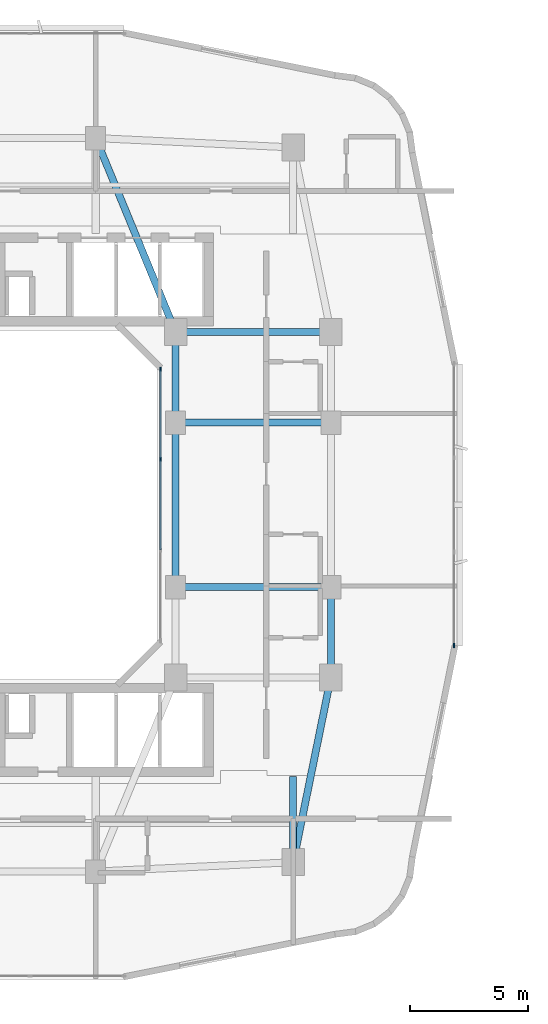
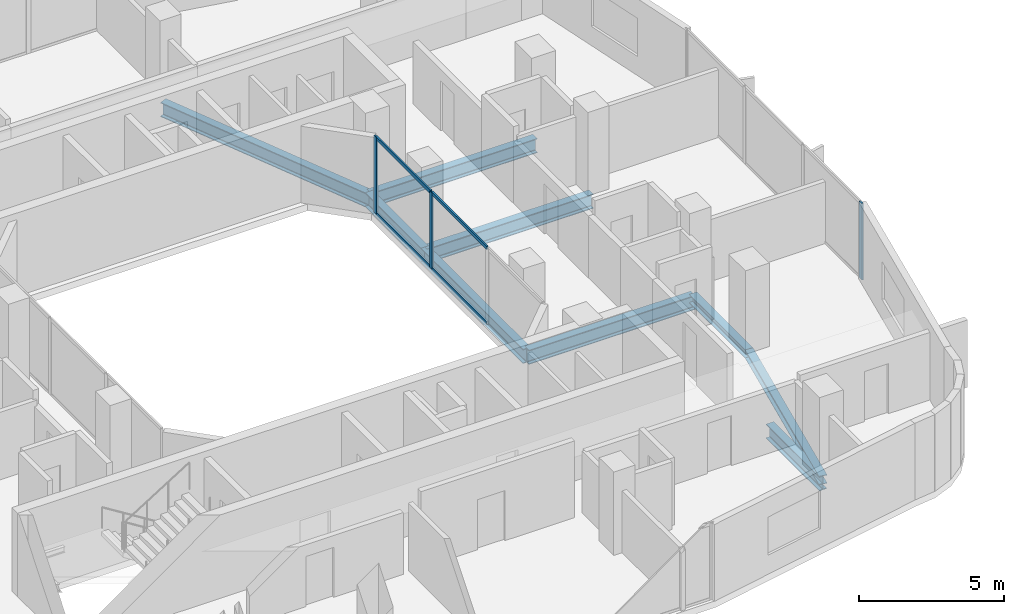
# One storey, part 4 of 26: 9 beams, 7 members, 2 elements without a shape of their own.
"""IFC4 building model written with IfcOpenShell, lengths in metres."""

from ifc_helpers import new_model, si_unit, derived_unit, direction, frame, origin, origin_2d, place, context, subcontext, project, spatial, rectangle, i_section, extrude, material, layer, layer_set, material_profile, profile_set, type_object, element, aggregate, save


model = new_model("IFC4")

# Units and contexts
model_context = context("Model", 3, precision=1e-05, world=origin(), true_north=direction((0.0, 1.0)))
body_context = subcontext(model_context, "Body", "Model", "MODEL_VIEW")
ifc_project = project(units=[si_unit("LENGTHUNIT", "METRE"), si_unit("AREAUNIT", "SQUARE_METRE"), si_unit("VOLUMEUNIT", "CUBIC_METRE"), si_unit("PLANEANGLEUNIT", "RADIAN"), si_unit("MASSUNIT", "GRAM", prefix="KILO"), derived_unit("THERMALTRANSMITTANCEUNIT", [(si_unit("POWERUNIT", "WATT"), 1), (si_unit("LENGTHUNIT", "METRE"), -2), (si_unit("THERMODYNAMICTEMPERATUREUNIT", "KELVIN"), -1)])], contexts=[model_context])

# Site, building, storey
site_placement = place(None, origin())
site = spatial("IfcSite", under=ifc_project, at=site_placement, CompositionType="ELEMENT")
building_placement = place(site_placement, origin())
building = spatial("IfcBuilding", under=site, at=building_placement, Name="Kivonza Crest Hotel", CompositionType="ELEMENT")
storey_placement = place(building_placement, frame((0.0, 0.0, 109.0)))
storey = spatial("IfcBuildingStorey", under=building, at=storey_placement, Name="L29", CompositionType="ELEMENT", Elevation=109.0)

# Beams
ifc_material_1 = material(Name="Steel S355", Category="steel")
ifc_material_profile_1 = material_profile(ifc_material_1, i_section(OverallWidth=0.300048828125, OverallDepth=0.360107421875, WebThickness=0.012451171875, FlangeThickness=0.0224609375, FilletRadius=0.027099609375, at=origin_2d()), Name="HEB 360")
ifc_profile_set_1 = profile_set([ifc_material_profile_1], Name="Steel S355")
beam_type_1 = type_object("IfcBeamType", Name="BM-HEB360", PredefinedType="SPANDREL", material=ifc_profile_set_1)
beam_1_placement = place(storey_placement, frame((34.199951171875, 9.800048828125, -0.4599609375), z_axis=(0.199730733965, 0.979850822273, 0.0), x_axis=(-0.979850822273, 0.199730733965, 0.0)))
element("IfcBeam", 1, at=beam_1_placement, inside=storey, type_object=beam_type_1, Name="Tower T1 L29 perimeter spandrel SE-PSE", PredefinedType="SPANDREL", context=body_context, shape_type="SweptSolid", body=[
    extrude(i_section(OverallWidth=0.300048828125, OverallDepth=0.360107421875, WebThickness=0.012451171875, FlangeThickness=0.0224609375, FilletRadius=0.027099609375, at=origin_2d()), origin(), (0.0, 0.0, 1.0), 8.01123046875),
])
beam_2_placement = place(storey_placement, frame((35.800048828125, 17.64990234375, -0.4599609375), z_axis=(0.0, 1.0, 0.0), x_axis=(-1.0, 0.0, 0.0)))
element("IfcBeam", 2, at=beam_2_placement, inside=storey, type_object=beam_type_1, Name="Tower T1 L29 perimeter spandrel PSE-E1", PredefinedType="SPANDREL", context=body_context, shape_type="SweptSolid", body=[
    extrude(i_section(OverallWidth=0.300048828125, OverallDepth=0.360107421875, WebThickness=0.012451171875, FlangeThickness=0.0224609375, FilletRadius=0.027099609375, at=origin_2d()), origin(), (0.0, 0.0, 1.0), 3.85009765625),
])
ifc_material_profile_2 = material_profile(ifc_material_1, i_section(OverallWidth=0.300048828125, OverallDepth=0.60009765625, WebThickness=0.015380859375, FlangeThickness=0.030029296875, FilletRadius=0.027099609375, at=origin_2d()), Name="HEB 600")
ifc_profile_set_2 = profile_set([ifc_material_profile_2], Name="Steel S355")
beam_type_2 = type_object("IfcBeamType", Name="BM-HEB600", PredefinedType="BEAM", material=ifc_profile_set_2)
beam_3_placement = place(storey_placement, frame((25.800048828125, 40.60009765625, -0.580078125), z_axis=(0.381022260404, -0.924565864109, 0.0), x_axis=(0.924565864109, 0.381022260404, 0.0)))
element("IfcBeam", 3, at=beam_3_placement, inside=storey, type_object=beam_type_2, Name="Tower T1 L29 primary girder N1-TNE", PredefinedType="BEAM", context=body_context, shape_type="SweptSolid", body=[
    extrude(i_section(OverallWidth=0.300048828125, OverallDepth=0.60009765625, WebThickness=0.015380859375, FlangeThickness=0.030029296875, FilletRadius=0.027099609375, at=origin_2d()), origin(), (0.0, 0.0, 1.0), 8.923095703125),
])
beam_4_placement = place(storey_placement, frame((29.199951171875, 32.35009765625, -0.580078125), z_axis=(1.0, 0.0, 0.0), x_axis=(0.0, 1.0, 0.0)))
element("IfcBeam", 4, at=beam_4_placement, inside=storey, type_object=beam_type_2, Name="Tower T1 L29 primary girder TNE-PNE", PredefinedType="BEAM", context=body_context, shape_type="SweptSolid", body=[
    extrude(i_section(OverallWidth=0.300048828125, OverallDepth=0.60009765625, WebThickness=0.015380859375, FlangeThickness=0.030029296875, FilletRadius=0.027099609375, at=origin_2d()), origin(), (0.0, 0.0, 1.0), 6.60009765625),
])
beam_5_placement = place(storey_placement, frame((29.199951171875, 21.5, -0.580078125), z_axis=(0.0, 1.0, 0.0), x_axis=(-1.0, 0.0, 0.0)))
element("IfcBeam", 5, at=beam_5_placement, inside=storey, type_object=beam_type_2, Name="Tower T1 L29 primary girder WR1-WR2", PredefinedType="BEAM", context=body_context, shape_type="SweptSolid", body=[
    extrude(i_section(OverallWidth=0.300048828125, OverallDepth=0.60009765625, WebThickness=0.015380859375, FlangeThickness=0.030029296875, FilletRadius=0.027099609375, at=origin_2d()), origin(), (0.0, 0.0, 1.0), 7.0),
])
beam_6_placement = place(storey_placement, frame((29.199951171875, 28.5, -0.580078125), z_axis=(0.0, 1.0, 0.0), x_axis=(-1.0, 0.0, 0.0)))
element("IfcBeam", 6, at=beam_6_placement, inside=storey, type_object=beam_type_2, Name="Tower T1 L29 primary girder WR2-TNE", PredefinedType="BEAM", context=body_context, shape_type="SweptSolid", body=[
    extrude(i_section(OverallWidth=0.300048828125, OverallDepth=0.60009765625, WebThickness=0.015380859375, FlangeThickness=0.030029296875, FilletRadius=0.027099609375, at=origin_2d()), origin(), (0.0, 0.0, 1.0), 3.85009765625),
])
for number, where, z_axis, x_axis, name in (
    (7, (29.199951171875, 21.5, -0.580078125), (1.0, 0.0, 0.0), (0.0, 1.0, 0.0), "Tower T1 L29 primary girder WR1-E1"),
    (8, (29.199951171875, 28.5, -0.580078125), (1.0, 0.0, 0.0), (0.0, 1.0, 0.0), "Tower T1 L29 primary girder WR2-E2"),
):
    element("IfcBeam", number, at=place(storey_placement, frame(where, z_axis=z_axis, x_axis=x_axis)), inside=storey, type_object=beam_type_2, Name=name, PredefinedType="BEAM", context=body_context, shape_type="SweptSolid", body=[
        extrude(i_section(OverallWidth=0.300048828125, OverallDepth=0.60009765625, WebThickness=0.015380859375, FlangeThickness=0.030029296875, FilletRadius=0.027099609375, at=origin_2d()), origin(), (0.0, 0.0, 1.0), 6.60009765625),
    ])
beam_7_placement = place(storey_placement, frame((34.199951171875, 9.800048828125, -0.580078125), z_axis=(0.0, 1.0, 0.0), x_axis=(-1.0, 0.0, 0.0)))
element("IfcBeam", 9, at=beam_7_placement, inside=storey, type_object=beam_type_2, Name="Tower T1 L29 radial core girder RSE", PredefinedType="BEAM", context=body_context, shape_type="SweptSolid", body=[
    extrude(i_section(OverallWidth=0.300048828125, OverallDepth=0.60009765625, WebThickness=0.015380859375, FlangeThickness=0.030029296875, FilletRadius=0.027099609375, at=origin_2d()), origin(), (0.0, 0.0, 1.0), 3.64990234375),
])

# Curtain wall, member
ifc_material_2 = material(Name="Anodised bronze aluminium and low-E double glazing", Category="aluminium")
ifc_layer_1 = layer(ifc_material_2, 0.179931640625)
ifc_layer_set_1 = layer_set([ifc_layer_1], Name="Anodised bronze aluminium and low-E double glazing")
curtain_wall_type_1 = type_object("IfcCurtainWallType", Name="CW-SYS-2", PredefinedType="NOTDEFINED", material=ifc_layer_set_1)
curtain_wall_1_placement = place(storey_placement, origin())
curtain_wall_1 = element("IfcCurtainWall", 10, at=curtain_wall_1_placement, inside=storey, type_object=curtain_wall_type_1, Name="L29 unitised curtain wall CW-T1-L29-17", PredefinedType="NOTDEFINED")
ifc_material_3 = material(Name="Anodised bronze aluminium", Category="aluminium")
ifc_material_profile_3 = material_profile(ifc_material_3, rectangle(XDim=0.06494140625, YDim=0.179931640625, at=origin_2d()), Name="CW-M 65x180")
ifc_profile_set_3 = profile_set([ifc_material_profile_3], Name="Anodised bronze aluminium")
member_type_1 = type_object("IfcMemberType", Name="CW-MUL-65x180", PredefinedType="MULLION", material=ifc_profile_set_3)
member_1_placement = place(storey_placement, frame((41.0400390625, 19.012451171875, 0.0), z_axis=(0.0, 0.0, 1.0), x_axis=(-1.0, 0.0, 0.0)))
member_1 = element("IfcMember", 11, at=member_1_placement, type_object=member_type_1, Name="CW-2 mullion 1", PredefinedType="MULLION", context=body_context, shape_type="SweptSolid", body=[
    extrude(rectangle(XDim=0.06494140625, YDim=0.179931640625, at=origin_2d()), origin(), (0.0, 0.0, 1.0), 3.219970703125),
])
aggregate(curtain_wall_1, [member_1])

# Curtain wall, members
ifc_layer_2 = layer(ifc_material_2, 0.159912109375)
ifc_layer_set_2 = layer_set([ifc_layer_2], Name="Anodised bronze aluminium and low-E double glazing")
curtain_wall_type_2 = type_object("IfcCurtainWallType", Name="CW-SYS-5", PredefinedType="NOTDEFINED", material=ifc_layer_set_2)
curtain_wall_2_placement = place(storey_placement, origin())
curtain_wall_2 = element("IfcCurtainWall", 12, at=curtain_wall_2_placement, inside=storey, type_object=curtain_wall_type_2, Name="L29 unitised curtain wall CW-WELL-T1-L29-3", PredefinedType="NOTDEFINED")
member_2_placement = place(storey_placement, frame((28.56005859375, 26.933349609375, 0.0), z_axis=(0.0, 0.0, 1.0), x_axis=(-1.0, 0.0, 0.0)))
member_2 = element("IfcMember", 13, at=member_2_placement, type_object=member_type_1, Name="CW-5 mullion 3", PredefinedType="MULLION", context=body_context, shape_type="SweptSolid", body=[
    extrude(rectangle(XDim=0.06494140625, YDim=0.179931640625, at=origin_2d()), origin(), (0.0, 0.0, 1.0), 3.219970703125),
])
member_3_placement = place(storey_placement, frame((28.56005859375, 30.767578125, 0.0), z_axis=(0.0, 0.0, 1.0), x_axis=(-1.0, 0.0, 0.0)))
member_3 = element("IfcMember", 14, at=member_3_placement, type_object=member_type_1, Name="CW-5 mullion 4", PredefinedType="MULLION", context=body_context, shape_type="SweptSolid", body=[
    extrude(rectangle(XDim=0.06494140625, YDim=0.179931640625, at=origin_2d()), origin(), (0.0, 0.0, 1.0), 3.219970703125),
])
ifc_material_profile_4 = material_profile(ifc_material_3, rectangle(XDim=0.06494140625, YDim=0.139892578125, at=origin_2d()), Name="CW-T 65x140")
ifc_profile_set_4 = profile_set([ifc_material_profile_4], Name="Anodised bronze aluminium")
member_type_2 = type_object("IfcMemberType", Name="CW-TRN-65x140", PredefinedType="USERDEFINED", material=ifc_profile_set_4)
member_4_placement = place(storey_placement, frame((28.56005859375, 23.09912109375, 0.032470703125), z_axis=(0.0, 1.0, 0.0), x_axis=(-1.0, 0.0, 0.0)))
member_4 = element("IfcMember", 15, at=member_4_placement, type_object=member_type_2, Name="CW-5 transom 2.1", ObjectType="TRANSOM", PredefinedType="USERDEFINED", context=body_context, shape_type="SweptSolid", body=[
    extrude(rectangle(XDim=0.06494140625, YDim=0.139892578125, at=origin_2d()), origin(), (0.0, 0.0, 1.0), 3.8017578125),
])
member_5_placement = place(storey_placement, frame((28.56005859375, 23.09912109375, 3.1875), z_axis=(0.0, 1.0, 0.0), x_axis=(-1.0, 0.0, 0.0)))
member_5 = element("IfcMember", 16, at=member_5_placement, type_object=member_type_2, Name="CW-5 transom 2.2", ObjectType="TRANSOM", PredefinedType="USERDEFINED", context=body_context, shape_type="SweptSolid", body=[
    extrude(rectangle(XDim=0.06494140625, YDim=0.139892578125, at=origin_2d()), origin(), (0.0, 0.0, 1.0), 3.8017578125),
])
member_6_placement = place(storey_placement, frame((28.56005859375, 26.9658203125, 0.032470703125), z_axis=(0.0, 1.0, 0.0), x_axis=(-1.0, 0.0, 0.0)))
member_6 = element("IfcMember", 17, at=member_6_placement, type_object=member_type_2, Name="CW-5 transom 3.1", ObjectType="TRANSOM", PredefinedType="USERDEFINED", context=body_context, shape_type="SweptSolid", body=[
    extrude(rectangle(XDim=0.06494140625, YDim=0.139892578125, at=origin_2d()), origin(), (0.0, 0.0, 1.0), 3.769287109375),
])
member_7_placement = place(storey_placement, frame((28.56005859375, 26.9658203125, 3.1875), z_axis=(0.0, 1.0, 0.0), x_axis=(-1.0, 0.0, 0.0)))
member_7 = element("IfcMember", 18, at=member_7_placement, type_object=member_type_2, Name="CW-5 transom 3.2", ObjectType="TRANSOM", PredefinedType="USERDEFINED", context=body_context, shape_type="SweptSolid", body=[
    extrude(rectangle(XDim=0.06494140625, YDim=0.139892578125, at=origin_2d()), origin(), (0.0, 0.0, 1.0), 3.769287109375),
])
aggregate(curtain_wall_2, [member_2, member_3, member_4, member_5, member_6, member_7])

save(model, "model.ifc")
